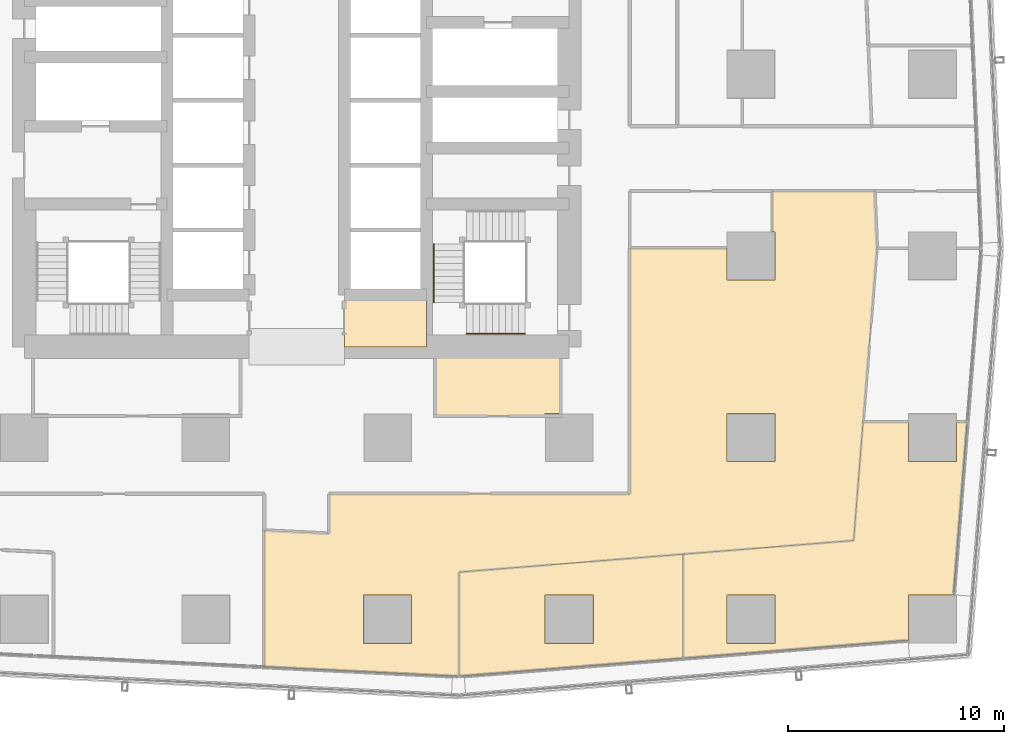
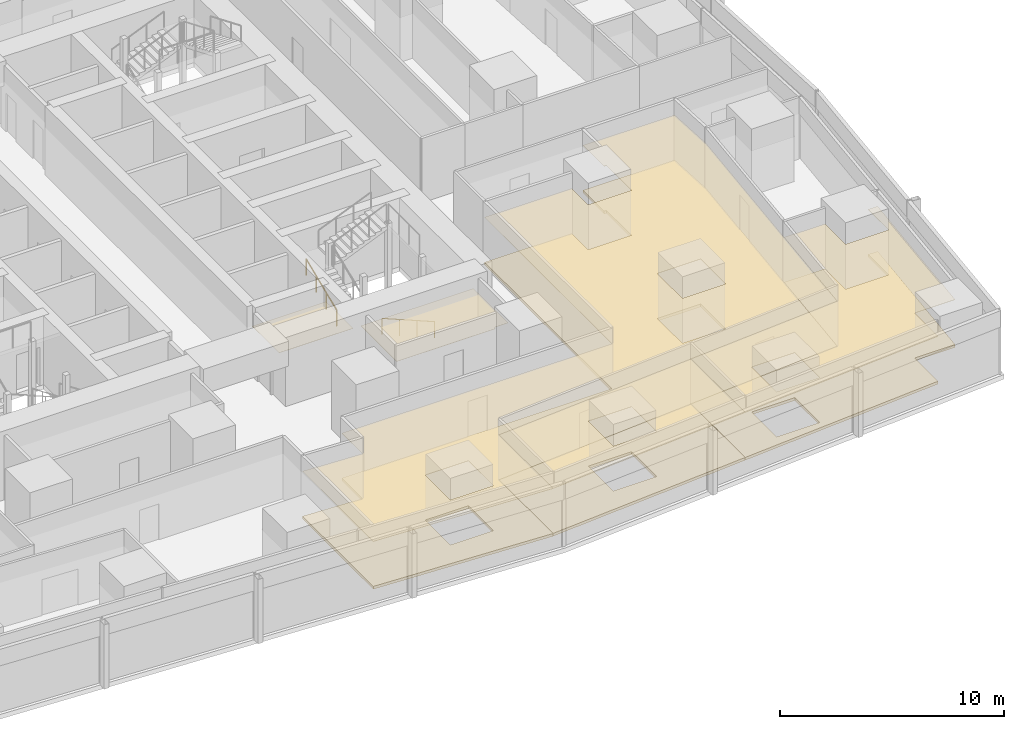
# One storey, part 38 of 44: 8 coverings, 2 railings.
"""IFC4 building model written with IfcOpenShell, lengths in metres."""

from ifc_helpers import new_model, si_unit, direction, frame, origin, origin_2d, place, context, subcontext, project, spatial, polyline, circle, outline, extrude, material, layer, layer_set, type_object, element, save


model = new_model("IFC4")

# Units and contexts
model_context = context("Model", 3, precision=1e-05, world=origin(), true_north=direction((0.0, 1.0)))
body_context = subcontext(model_context, "Body", "Model", "MODEL_VIEW")
ifc_project = project(units=[si_unit("LENGTHUNIT", "METRE"), si_unit("AREAUNIT", "SQUARE_METRE"), si_unit("VOLUMEUNIT", "CUBIC_METRE"), si_unit("PLANEANGLEUNIT", "RADIAN"), si_unit("MASSUNIT", "GRAM", prefix="KILO")], contexts=[model_context])

# Site, building, storey
site_placement = place(None, origin())
site = spatial("IfcSite", under=ifc_project, at=site_placement, CompositionType="ELEMENT")
building_placement = place(site_placement, origin())
building = spatial("IfcBuilding", under=site, at=building_placement, Name="Rekha Terrace Tower", CompositionType="ELEMENT")
storey_placement = place(building_placement, frame((0.0, 0.0, 47.89990234375)))
storey = spatial("IfcBuildingStorey", under=building, at=storey_placement, Name="L11", CompositionType="ELEMENT", Elevation=47.89990234375)

# Coverings
ifc_material_1 = material(Name="Mineral fibre tile in exposed grid", Category="finish")
ifc_layer_1 = layer(ifc_material_1, 0.02001953125)
ifc_layer_set_1 = layer_set([ifc_layer_1], Name="Mineral fibre tile in exposed grid")
covering_type_1 = type_object("IfcCoveringType", Name="CL1 600x1200 office grid ceiling", PredefinedType="CEILING", material=ifc_layer_set_1)
covering_1_placement = place(storey_placement, frame((0.0, 0.0, 2.580078125)))
element("IfcCovering", 1, at=covering_1_placement, inside=storey, type_object=covering_type_1, Name="Ceiling L11-02", PredefinedType="CEILING", context=body_context, shape_type="SweptSolid", body=[
    extrude(outline(polyline([(55.6708984375, 6.594970703125), (55.6708984375, 11.410888671875), (45.304931640625, 10.580078125), (45.304931640625, 5.764892578125), (55.6708984375, 6.594970703125)]), holes=[polyline([(51.514892578125, 7.284912109375), (49.284912109375, 7.284912109375), (49.284912109375, 9.514892578125), (51.514892578125, 9.514892578125), (51.514892578125, 7.284912109375)])]), origin(), (0.0, 0.0, 1.0), 0.02001953125),
])
covering_2_placement = place(storey_placement, frame((0.0, 0.0, 2.580078125)))
element("IfcCovering", 2, at=covering_2_placement, inside=storey, type_object=covering_type_1, Name="Ceiling L11-03", PredefinedType="CEILING", context=body_context, shape_type="SweptSolid", body=[
    extrude(outline(polyline([(63.553955078125, 12.0419921875), (55.673095703125, 11.410888671875), (55.673095703125, 6.594970703125), (66.0849609375, 7.428955078125), (66.0849609375, 9.514892578125), (68.16796875, 9.514892578125), (68.803955078125, 17.52294921875), (68.31494140625, 17.52294921875), (68.31494140625, 15.68505859375), (66.0849609375, 15.68505859375), (66.0849609375, 17.52294921875), (63.988037109375, 17.52294921875), (63.553955078125, 12.0419921875)]), holes=[polyline([(59.9150390625, 7.284912109375), (57.68505859375, 7.284912109375), (57.68505859375, 9.514892578125), (59.9150390625, 9.514892578125), (59.9150390625, 7.284912109375)])]), origin(), (0.0, 0.0, 1.0), 0.02001953125),
])
covering_3_placement = place(storey_placement, frame((0.0, 0.0, 2.580078125)))
element("IfcCovering", 3, at=covering_3_placement, inside=storey, type_object=covering_type_1, Name="Ceiling L11-O1", PredefinedType="CEILING", context=body_context, shape_type="SweptSolid", body=[
    extrude(outline(polyline([(45.304931640625, 10.580078125), (55.6708984375, 11.410888671875), (63.553955078125, 12.0419921875), (63.988037109375, 17.52294921875), (63.989013671875, 17.52294921875), (64.625, 25.551025390625), (64.632080078125, 25.551025390625), (64.51904296875, 28.199951171875), (59.800048828125, 28.199951171875), (59.800048828125, 26.31494140625), (59.9150390625, 26.31494140625), (59.9150390625, 24.0849609375), (57.68505859375, 24.0849609375), (57.68505859375, 25.552001953125), (53.199951171875, 25.552001953125), (53.199951171875, 14.199951171875), (39.300048828125, 14.199951171875), (39.300048828125, 12.363037109375), (36.301025390625, 12.510009765625), (36.301025390625, 6.202880859375), (45.27197265625, 5.761962890625), (45.304931640625, 5.764892578125), (45.304931640625, 10.580078125)]), holes=[polyline([(59.9150390625, 17.9150390625), (59.9150390625, 15.68505859375), (57.68505859375, 15.68505859375), (57.68505859375, 17.9150390625), (59.9150390625, 17.9150390625)]), polyline([(43.114990234375, 7.284912109375), (40.885009765625, 7.284912109375), (40.885009765625, 9.514892578125), (43.114990234375, 9.514892578125), (43.114990234375, 7.284912109375)])]), origin(), (0.0, 0.0, 1.0), 0.02001953125),
])
ifc_material_2 = material(Name="Fibre cement board", Category="finish")
ifc_layer_2 = layer(ifc_material_2, 0.014892578125)
ifc_layer_set_2 = layer_set([ifc_layer_2], Name="Fibre cement board")
covering_type_2 = type_object("IfcCoveringType", Name="CL2 moisture-resistant board ceiling", PredefinedType="CEILING", material=ifc_layer_set_2)
covering_4_placement = place(storey_placement, frame((0.0, 0.0, 2.585205078125)))
element("IfcCovering", 4, at=covering_4_placement, inside=storey, type_object=covering_type_2, Name="Ceiling L11-WCA", PredefinedType="CEILING", context=body_context, shape_type="SweptSolid", body=[
    extrude(outline(polyline([(43.800048828125, 23.39990234375), (40.0, 23.39990234375), (40.0, 21.0), (43.800048828125, 21.0), (43.800048828125, 23.39990234375)])), origin(), (0.0, 0.0, 1.0), 0.014892578125),
])
covering_5_placement = place(storey_placement, frame((0.0, 0.0, 2.585205078125)))
element("IfcCovering", 5, at=covering_5_placement, inside=storey, type_object=covering_type_2, Name="Ceiling L11-WCM2", PredefinedType="CEILING", context=body_context, shape_type="SweptSolid", body=[
    extrude(outline(polyline([(50.0, 21.0), (44.199951171875, 21.0), (44.199951171875, 17.800048828125), (49.284912109375, 17.800048828125), (49.284912109375, 17.9150390625), (50.0, 17.9150390625), (50.0, 21.0)])), origin(), (0.0, 0.0, 1.0), 0.014892578125),
])

# Railings
ifc_material_3 = material(Name="Stainless steel tube", Category="steel")
railing_type = type_object("IfcRailingType", Name="HR1 900 stair handrail", PredefinedType="HANDRAIL", material=ifc_material_3)
railing_1_placement = place(storey_placement, frame((48.35009765625, 21.610107421875, 0.125)))
element("IfcRailing", 6, at=railing_1_placement, inside=storey, type_object=railing_type, Name="Handrail ST3 L11 flight 1", PredefinedType="HANDRAIL", context=body_context, shape_type="SweptSolid", body=[
    extrude(circle(Radius=0.02392578125, at=origin_2d()), frame((0.0, 0.0, 0.8759765625), z_axis=(-0.923086799901, 0.0, 0.38459167938), x_axis=(0.0, -1.0, 0.0)), (0.0, 0.0, 1.0), 2.92529296875),
    extrude(circle(Radius=0.02099609375, at=origin_2d()), origin(), (0.0, 0.0, 1.0), 0.851806640625),
    extrude(circle(Radius=0.02099609375, at=origin_2d()), frame((-0.900146484375, 0.0, 0.375)), (0.0, 0.0, 1.0), 0.851806640625),
    extrude(circle(Radius=0.02099609375, at=origin_2d()), frame((-1.800048828125, 0.0, 0.75)), (0.0, 0.0, 1.0), 0.851806640625),
    extrude(circle(Radius=0.02099609375, at=origin_2d()), frame((-2.7001953125, 0.0, 1.125)), (0.0, 0.0, 1.0), 0.851806640625),
])
railing_2_placement = place(storey_placement, frame((44.135009765625, 23.050048828125, 1.375)))
element("IfcRailing", 7, at=railing_2_placement, inside=storey, type_object=railing_type, Name="Handrail ST3 L11 flight 2", PredefinedType="HANDRAIL", context=body_context, shape_type="SweptSolid", body=[
    extrude(circle(Radius=0.02392578125, at=origin_2d()), frame((0.0, 0.0, 0.8759765625), z_axis=(0.0, 0.923074453586, 0.384621311341), x_axis=(-1.0, 0.0, 0.0)), (0.0, 0.0, 1.0), 2.925048828125),
    extrude(circle(Radius=0.02099609375, at=origin_2d()), origin(), (0.0, 0.0, 1.0), 0.851806640625),
    extrude(circle(Radius=0.02099609375, at=origin_2d()), frame((0.0, 0.89990234375, 0.375)), (0.0, 0.0, 1.0), 0.851806640625),
    extrude(circle(Radius=0.02099609375, at=origin_2d()), frame((0.0, 1.800048828125, 0.75)), (0.0, 0.0, 1.0), 0.851806640625),
    extrude(circle(Radius=0.02099609375, at=origin_2d()), frame((0.0, 2.699951171875, 1.125)), (0.0, 0.0, 1.0), 0.851806640625),
])

# Coverings
ifc_material_4 = material(Name="Calcium sulphate panels on steel pedestals", Category="steel")
ifc_layer_3 = layer(ifc_material_4, 0.14990234375)
ifc_layer_set_3 = layer_set([ifc_layer_3], Name="Calcium sulphate panels on steel pedestals")
covering_type_3 = type_object("IfcCoveringType", Name="RF1 150 raised access floor", PredefinedType="FLOORING", material=ifc_layer_set_3)
covering_6_placement = place(storey_placement, origin())
element("IfcCovering", 8, at=covering_6_placement, inside=storey, type_object=covering_type_3, Name="Raised floor L11-02", PredefinedType="FLOORING", context=body_context, shape_type="SweptSolid", body=[
    extrude(outline(polyline([(55.6708984375, 6.594970703125), (55.6708984375, 11.410888671875), (45.304931640625, 10.580078125), (45.304931640625, 5.764892578125), (55.6708984375, 6.594970703125)]), holes=[polyline([(51.514892578125, 7.284912109375), (49.284912109375, 7.284912109375), (49.284912109375, 9.514892578125), (51.514892578125, 9.514892578125), (51.514892578125, 7.284912109375)])]), origin(), (0.0, 0.0, 1.0), 0.150146484375),
])
covering_7_placement = place(storey_placement, origin())
element("IfcCovering", 9, at=covering_7_placement, inside=storey, type_object=covering_type_3, Name="Raised floor L11-03", PredefinedType="FLOORING", context=body_context, shape_type="SweptSolid", body=[
    extrude(outline(polyline([(63.553955078125, 12.0419921875), (55.673095703125, 11.410888671875), (55.673095703125, 6.594970703125), (66.0849609375, 7.428955078125), (66.0849609375, 9.514892578125), (68.16796875, 9.514892578125), (68.803955078125, 17.52294921875), (68.31494140625, 17.52294921875), (68.31494140625, 15.68505859375), (66.0849609375, 15.68505859375), (66.0849609375, 17.52294921875), (63.988037109375, 17.52294921875), (63.553955078125, 12.0419921875)]), holes=[polyline([(59.9150390625, 7.284912109375), (57.68505859375, 7.284912109375), (57.68505859375, 9.514892578125), (59.9150390625, 9.514892578125), (59.9150390625, 7.284912109375)])]), origin(), (0.0, 0.0, 1.0), 0.150146484375),
])
covering_8_placement = place(storey_placement, origin())
element("IfcCovering", 10, at=covering_8_placement, inside=storey, type_object=covering_type_3, Name="Raised floor L11-O1", PredefinedType="FLOORING", context=body_context, shape_type="SweptSolid", body=[
    extrude(outline(polyline([(45.304931640625, 10.580078125), (55.6708984375, 11.410888671875), (63.553955078125, 12.0419921875), (63.988037109375, 17.52294921875), (63.989013671875, 17.52294921875), (64.625, 25.551025390625), (64.632080078125, 25.551025390625), (64.51904296875, 28.199951171875), (59.800048828125, 28.199951171875), (59.800048828125, 26.31494140625), (59.9150390625, 26.31494140625), (59.9150390625, 24.0849609375), (57.68505859375, 24.0849609375), (57.68505859375, 25.552001953125), (53.199951171875, 25.552001953125), (53.199951171875, 14.199951171875), (39.300048828125, 14.199951171875), (39.300048828125, 12.363037109375), (36.301025390625, 12.510009765625), (36.301025390625, 6.202880859375), (45.27197265625, 5.761962890625), (45.304931640625, 5.764892578125), (45.304931640625, 10.580078125)]), holes=[polyline([(59.9150390625, 17.9150390625), (59.9150390625, 15.68505859375), (57.68505859375, 15.68505859375), (57.68505859375, 17.9150390625), (59.9150390625, 17.9150390625)]), polyline([(43.114990234375, 7.284912109375), (40.885009765625, 7.284912109375), (40.885009765625, 9.514892578125), (43.114990234375, 9.514892578125), (43.114990234375, 7.284912109375)])]), origin(), (0.0, 0.0, 1.0), 0.150146484375),
])

save(model, "model.ifc")
